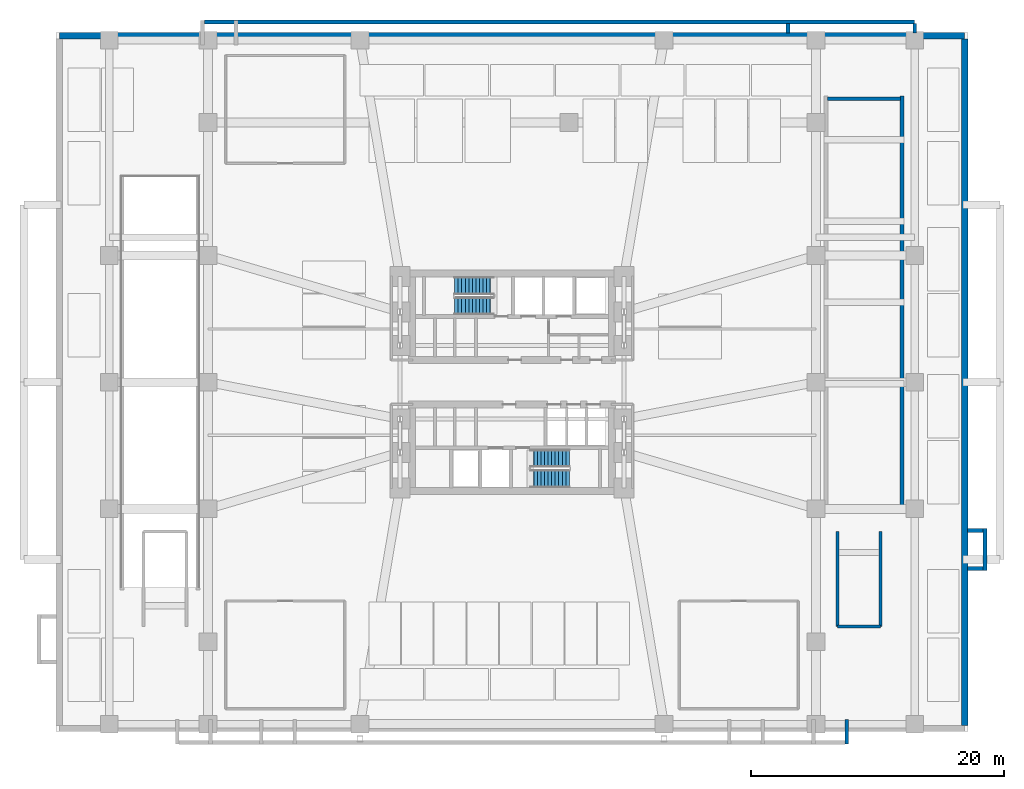
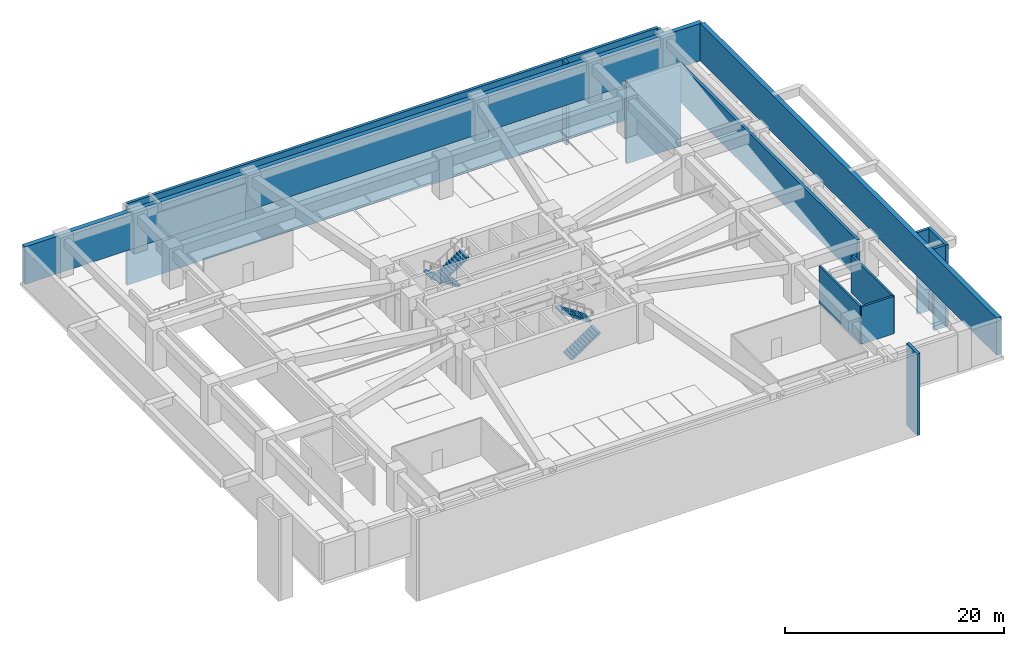
# One storey, part 8 of 13: 14 walls, 4 stair flights, 2 elements without a shape of their own.
"""IFC4 building model written with IfcOpenShell, lengths in metres."""

from ifc_helpers import new_model, si_unit, direction, frame, frame_2d, origin, place, context, subcontext, project, spatial, polyline, rectangle, outline, extrude, material, layer, layer_set, type_object, element, aggregate, save


model = new_model("IFC4")

# Units and contexts
model_context = context("Model", 3, precision=1e-05, world=origin(), true_north=direction((0.0, 1.0)))
body_context = subcontext(model_context, "Body", "Model", "MODEL_VIEW")
ifc_project = project(units=[si_unit("LENGTHUNIT", "METRE"), si_unit("AREAUNIT", "SQUARE_METRE"), si_unit("VOLUMEUNIT", "CUBIC_METRE"), si_unit("PLANEANGLEUNIT", "RADIAN"), si_unit("MASSUNIT", "GRAM", prefix="KILO")], contexts=[model_context])

# Site, building, storey
site_placement = place(None, origin())
site = spatial("IfcSite", under=ifc_project, at=site_placement, CompositionType="ELEMENT")
building_placement = place(site_placement, origin())
building = spatial("IfcBuilding", under=site, at=building_placement, Name="Solmarez Civic Tower", CompositionType="ELEMENT")
storey_placement = place(building_placement, frame((0.0, 0.0, -4.5)))
storey = spatial("IfcBuildingStorey", under=building, at=storey_placement, Name="B1", CompositionType="ELEMENT", Elevation=-4.5)

# Walls
ifc_material = material(Name="Concrete C50/60", Category="concrete")
ifc_layer_1 = layer(ifc_material, 0.5)
ifc_layer_set_1 = layer_set([ifc_layer_1], Name="Concrete C50/60")
wall_type_1 = type_object("IfcWallType", Name="WALL-RET-500", PredefinedType="USERDEFINED", material=ifc_layer_set_1)
wall_1_placement = place(storey_placement, frame((-35.75, 27.35009765625, 0.0), z_axis=(0.0, 0.0, 1.0), x_axis=(1.0, 0.0, 0.0)))
element("IfcWall", 1, at=wall_1_placement, inside=storey, type_object=wall_type_1, Name="B1 Perimeter Retaining Wall RW-N-B1", ObjectType="RETAININGWALL", PredefinedType="USERDEFINED", context=body_context, shape_type="SweptSolid", body=[
    extrude(rectangle(XDim=71.5, YDim=0.5, at=frame_2d((35.75, 0.0))), origin(), (0.0, 0.0, 1.0), 4.179931640625),
])
wall_2_placement = place(storey_placement, frame((35.75, 27.10009765625, 0.0), z_axis=(0.0, 0.0, 1.0), x_axis=(0.0, -1.0, 0.0)))
element("IfcWall", 2, at=wall_2_placement, inside=storey, type_object=wall_type_1, Name="B1 Perimeter Retaining Wall RW-E-B1", ObjectType="RETAININGWALL", PredefinedType="USERDEFINED", context=body_context, shape_type="SweptSolid", body=[
    extrude(rectangle(XDim=54.2001953125, YDim=0.5, at=frame_2d((27.10009765625, 0.0))), origin(), (0.0, 0.0, 1.0), 4.179931640625),
])
ifc_layer_2 = layer(ifc_material, 0.300048828125)
ifc_layer_set_2 = layer_set([ifc_layer_2], Name="Concrete C50/60")
wall_type_2 = type_object("IfcWallType", Name="WALL-STR-300", PredefinedType="SOLIDWALL", material=ifc_layer_set_2)
for number, where, z_axis, x_axis, name in (
    (3, (25.699951171875, -19.300048828125, 0.0), (0.0, 0.0, 1.0), (0.0, 1.0, 0.0), "B1 Podium Stair Structural Wall STP2-W"),
    (4, (29.10009765625, -19.300048828125, 0.0), (0.0, 0.0, 1.0), (0.0, 1.0, 0.0), "B1 Podium Stair Structural Wall STP2-E"),
):
    element("IfcWall", number, at=place(storey_placement, frame(where, z_axis=z_axis, x_axis=x_axis)), inside=storey, type_object=wall_type_2, Name=name, PredefinedType="SOLIDWALL", context=body_context, shape_type="SweptSolid", body=[
        extrude(rectangle(XDim=7.5, YDim=0.219970703125, at=frame_2d((3.75, 0.0))), origin(), (0.0, 0.0, 1.0), 4.179931640625),
    ])
wall_3_placement = place(storey_placement, frame((25.699951171875, -19.300048828125, 0.0), z_axis=(0.0, 0.0, 1.0), x_axis=(1.0, 0.0, 0.0)))
element("IfcWall", 5, at=wall_3_placement, inside=storey, type_object=wall_type_2, Name="B1 Podium Stair Structural Wall STP2-S", PredefinedType="SOLIDWALL", context=body_context, shape_type="SweptSolid", body=[
    extrude(rectangle(XDim=3.400146484375, YDim=0.219970703125, at=frame_2d((1.7001953125, 0.0))), origin(), (0.0, 0.0, 1.0), 4.179931640625),
])
wall_4_placement = place(storey_placement, frame((30.800048828125, -10.0, 0.0), z_axis=(0.0, 0.0, 1.0), x_axis=(0.0, 1.0, 0.0)))
element("IfcWall", 6, at=wall_4_placement, inside=storey, type_object=wall_type_2, Name="B1 Vehicle Ramp Structural Wall SW-VR1-E-B1", PredefinedType="SOLIDWALL", context=body_context, shape_type="SweptSolid", body=[
    extrude(rectangle(XDim=32.60009765625, YDim=0.300048828125, at=frame_2d((16.300048828125, 0.0))), origin(), (0.0, 0.0, 1.0), 4.179931640625),
])
wall_5_placement = place(storey_placement, frame((24.929931640625, 22.3798828125, -4.85009765625), z_axis=(0.0, 0.0, 1.0), x_axis=(1.0, 0.0, 0.0)))
element("IfcWall", 7, at=wall_5_placement, inside=storey, type_object=wall_type_2, Name="B1 Substructure Bearing Wall SW-VR1-TOP-B1", PredefinedType="SOLIDWALL", context=body_context, shape_type="SweptSolid", body=[
    extrude(rectangle(XDim=5.739990234375, YDim=0.300048828125, at=frame_2d((2.8701171875, 0.0))), origin(), (0.0, 0.0, 1.0), 9.06005859375),
])
wall_6_placement = place(storey_placement, frame((-24.300048828125, 28.449951171875, -4.85009765625), z_axis=(0.0, 0.0, 1.0), x_axis=(1.0, 0.0, 0.0)))
element("IfcWall", 8, at=wall_6_placement, inside=storey, type_object=wall_type_2, Name="B1 Substructure Bearing Wall SW-APR-N1-B1", PredefinedType="SOLIDWALL", context=body_context, shape_type="SweptSolid", body=[
    extrude(rectangle(XDim=56.10009765625, YDim=0.300048828125, at=frame_2d((28.050048828125, 0.0))), origin(), (0.0, 0.0, 1.0), 9.130126953125),
])
for number, where, z_axis, x_axis, name in (
    (9, (21.800048828125, 27.580078125, -4.85009765625), (0.0, 0.0, 1.0), (0.0, 1.0, 0.0), "B1 Substructure Bearing Wall SW-APR-N3-B1"),
    (10, (31.800048828125, 27.580078125, -4.85009765625), (0.0, 0.0, 1.0), (0.0, 1.0, 0.0), "B1 Substructure Bearing Wall SW-APR-N4-B1"),
):
    element("IfcWall", number, at=place(storey_placement, frame(where, z_axis=z_axis, x_axis=x_axis)), inside=storey, type_object=wall_type_2, Name=name, PredefinedType="SOLIDWALL", context=body_context, shape_type="SweptSolid", body=[
        extrude(rectangle(XDim=0.72998046875, YDim=0.300048828125, at=frame_2d((0.364990234375, 0.0))), origin(), (0.0, 0.0, 1.0), 9.130126953125),
    ])
wall_7_placement = place(storey_placement, frame((37.35009765625, -14.85009765625, -4.85009765625), z_axis=(0.0, 0.0, 1.0), x_axis=(0.0, 1.0, 0.0)))
element("IfcWall", 11, at=wall_7_placement, inside=storey, type_object=wall_type_2, Name="B1 Substructure Bearing Wall SW-APR-E1-B1", PredefinedType="SOLIDWALL", context=body_context, shape_type="SweptSolid", body=[
    extrude(rectangle(XDim=3.300048828125, YDim=0.300048828125, at=frame_2d((1.64990234375, 0.0))), origin(), (0.0, 0.0, 1.0), 9.130126953125),
])
for number, where, z_axis, x_axis, name in (
    (12, (35.97998046875, -14.699951171875, -4.85009765625), (0.0, 0.0, 1.0), (1.0, 0.0, 0.0), "B1 Substructure Bearing Wall SW-APR-E2-B1"),
    (13, (35.97998046875, -11.699951171875, -4.85009765625), (0.0, 0.0, 1.0), (1.0, 0.0, 0.0), "B1 Substructure Bearing Wall SW-APR-E3-B1"),
):
    element("IfcWall", number, at=place(storey_placement, frame(where, z_axis=z_axis, x_axis=x_axis)), inside=storey, type_object=wall_type_2, Name=name, PredefinedType="SOLIDWALL", context=body_context, shape_type="SweptSolid", body=[
        extrude(rectangle(XDim=1.22998046875, YDim=0.300048828125, at=frame_2d((0.614990234375, 0.0))), origin(), (0.0, 0.0, 1.0), 9.130126953125),
    ])
wall_8_placement = place(storey_placement, frame((26.43994140625, -28.580078125, -4.85009765625), z_axis=(0.0, 0.0, 1.0), x_axis=(0.0, 1.0, 0.0)))
element("IfcWall", 14, at=wall_8_placement, inside=storey, type_object=wall_type_2, Name="B1 Substructure Bearing Wall SW-AR2-LO-B1", PredefinedType="SOLIDWALL", context=body_context, shape_type="SweptSolid", body=[
    extrude(rectangle(XDim=1.9599609375, YDim=0.300048828125, at=frame_2d((0.97998046875, 0.0))), origin(), (0.0, 0.0, 1.0), 9.14501953125),
])

# Stair, stair flights
stair_type = type_object("IfcStairType", Name="STAIR-DOGLEG-140W-24R-1875", PredefinedType="HALF_TURN_STAIR", material=ifc_material)
stair_1_placement = place(storey_placement, origin())
stair_1 = element("IfcStair", 15, at=stair_1_placement, inside=storey, type_object=stair_type, Name="B1 North Core Protected Exit Stair ST-1", PredefinedType="HALF_TURN_STAIR")
stair_flight_type = type_object("IfcStairFlightType", Name="FLIGHT-DOGLEG-140W-12R-1875", PredefinedType="STRAIGHT", material=ifc_material)
stair_flight_1_placement = place(storey_placement, frame((-1.449951171875, 7.6201171875, 0.0), z_axis=(0.0, 0.0, 1.0), x_axis=(-1.0, 0.0, 0.0)))
stair_flight_1 = element("IfcStairFlight", 16, at=stair_flight_1_placement, type_object=stair_flight_type, Name="ST-1 flight 1", NumberOfRisers=12, NumberOfTreads=11, PredefinedType="STRAIGHT", RiserHeight=0.1875, TreadLength=0.28, context=body_context, shape_type="SweptSolid", body=[
    extrude(outline(polyline([(0.0, 0.0), (0.0, 0.1875), (0.280029296875, 0.1875), (0.280029296875, 0.375), (0.56005859375, 0.375), (0.56005859375, 0.5625), (0.840087890625, 0.5625), (0.840087890625, 0.75), (1.1201171875, 0.75), (1.1201171875, 0.9375), (1.39990234375, 0.9375), (1.39990234375, 1.125), (1.679931640625, 1.125), (1.679931640625, 1.3125), (1.9599609375, 1.3125), (1.9599609375, 1.5), (2.239990234375, 1.5), (2.239990234375, 1.6875), (2.52001953125, 1.6875), (2.52001953125, 1.875), (2.800048828125, 1.875), (2.800048828125, 2.0625), (3.080078125, 2.0625), (3.080078125, 2.25), (3.080078125, 1.8701171875), (0.287353515625, 0.0), (0.0, 0.0)])), frame((0.0, 0.699951171875, 0.0), z_axis=(0.0, -1.0, 0.0), x_axis=(1.0, 0.0, 0.0)), (0.0, 0.0, 1.0), 1.39990234375),
])
stair_flight_2_placement = place(storey_placement, frame((-4.530029296875, 6.02001953125, 2.25), z_axis=(0.0, 0.0, 1.0), x_axis=(1.0, 0.0, 0.0)))
stair_flight_2 = element("IfcStairFlight", 17, at=stair_flight_2_placement, type_object=stair_flight_type, Name="ST-1 flight 2", NumberOfRisers=12, NumberOfTreads=11, PredefinedType="STRAIGHT", RiserHeight=0.1875, TreadLength=0.28, context=body_context, shape_type="SweptSolid", body=[
    extrude(outline(polyline([(0.0, 0.0), (0.0, 0.1875), (0.280029296875, 0.1875), (0.280029296875, 0.375), (0.56005859375, 0.375), (0.56005859375, 0.5625), (0.840087890625, 0.5625), (0.840087890625, 0.75), (1.1201171875, 0.75), (1.1201171875, 0.9375), (1.39990234375, 0.9375), (1.39990234375, 1.125), (1.679931640625, 1.125), (1.679931640625, 1.3125), (1.9599609375, 1.3125), (1.9599609375, 1.5), (2.239990234375, 1.5), (2.239990234375, 1.6875), (2.52001953125, 1.6875), (2.52001953125, 1.875), (2.800048828125, 1.875), (2.800048828125, 2.0625), (3.080078125, 2.0625), (3.080078125, 2.25), (3.080078125, 1.8701171875), (0.287353515625, 0.0), (0.0, 0.0)])), frame((0.0, 0.699951171875, 0.0), z_axis=(0.0, -1.0, 0.0), x_axis=(1.0, 0.0, 0.0)), (0.0, 0.0, 1.0), 1.39990234375),
])
aggregate(stair_1, [stair_flight_1, stair_flight_2])

stair_2_placement = place(storey_placement, origin())
stair_2 = element("IfcStair", 18, at=stair_2_placement, inside=storey, type_object=stair_type, Name="B1 South Core Protected Exit Stair ST-2", PredefinedType="HALF_TURN_STAIR")
stair_flight_3_placement = place(storey_placement, frame((1.449951171875, -7.6201171875, 0.0), z_axis=(0.0, 0.0, 1.0), x_axis=(1.0, 0.0, 0.0)))
stair_flight_3 = element("IfcStairFlight", 19, at=stair_flight_3_placement, type_object=stair_flight_type, Name="ST-2 flight 1", NumberOfRisers=12, NumberOfTreads=11, PredefinedType="STRAIGHT", RiserHeight=0.1875, TreadLength=0.28, context=body_context, shape_type="SweptSolid", body=[
    extrude(outline(polyline([(0.0, 0.0), (0.0, 0.1875), (0.280029296875, 0.1875), (0.280029296875, 0.375), (0.56005859375, 0.375), (0.56005859375, 0.5625), (0.840087890625, 0.5625), (0.840087890625, 0.75), (1.1201171875, 0.75), (1.1201171875, 0.9375), (1.39990234375, 0.9375), (1.39990234375, 1.125), (1.679931640625, 1.125), (1.679931640625, 1.3125), (1.9599609375, 1.3125), (1.9599609375, 1.5), (2.239990234375, 1.5), (2.239990234375, 1.6875), (2.52001953125, 1.6875), (2.52001953125, 1.875), (2.800048828125, 1.875), (2.800048828125, 2.0625), (3.080078125, 2.0625), (3.080078125, 2.25), (3.080078125, 1.8701171875), (0.287353515625, 0.0), (0.0, 0.0)])), frame((0.0, 0.699951171875, 0.0), z_axis=(0.0, -1.0, 0.0), x_axis=(1.0, 0.0, 0.0)), (0.0, 0.0, 1.0), 1.39990234375),
])
stair_flight_4_placement = place(storey_placement, frame((4.530029296875, -6.02001953125, 2.25), z_axis=(0.0, 0.0, 1.0), x_axis=(-1.0, 0.0, 0.0)))
stair_flight_4 = element("IfcStairFlight", 20, at=stair_flight_4_placement, type_object=stair_flight_type, Name="ST-2 flight 2", NumberOfRisers=12, NumberOfTreads=11, PredefinedType="STRAIGHT", RiserHeight=0.1875, TreadLength=0.28, context=body_context, shape_type="SweptSolid", body=[
    extrude(outline(polyline([(0.0, 0.0), (0.0, 0.1875), (0.280029296875, 0.1875), (0.280029296875, 0.375), (0.56005859375, 0.375), (0.56005859375, 0.5625), (0.840087890625, 0.5625), (0.840087890625, 0.75), (1.1201171875, 0.75), (1.1201171875, 0.9375), (1.39990234375, 0.9375), (1.39990234375, 1.125), (1.679931640625, 1.125), (1.679931640625, 1.3125), (1.9599609375, 1.3125), (1.9599609375, 1.5), (2.239990234375, 1.5), (2.239990234375, 1.6875), (2.52001953125, 1.6875), (2.52001953125, 1.875), (2.800048828125, 1.875), (2.800048828125, 2.0625), (3.080078125, 2.0625), (3.080078125, 2.25), (3.080078125, 1.8701171875), (0.287353515625, 0.0), (0.0, 0.0)])), frame((0.0, 0.699951171875, 0.0), z_axis=(0.0, -1.0, 0.0), x_axis=(1.0, 0.0, 0.0)), (0.0, 0.0, 1.0), 1.39990234375),
])
aggregate(stair_2, [stair_flight_3, stair_flight_4])

save(model, "model.ifc")
